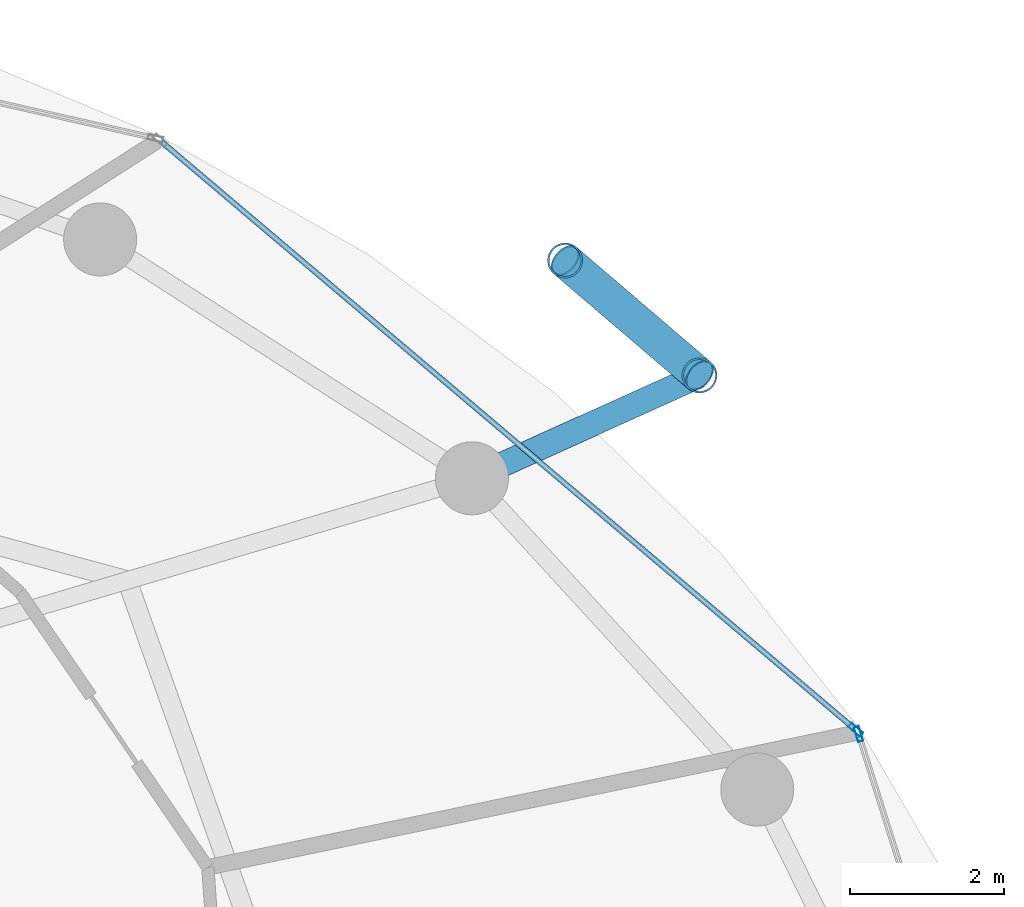
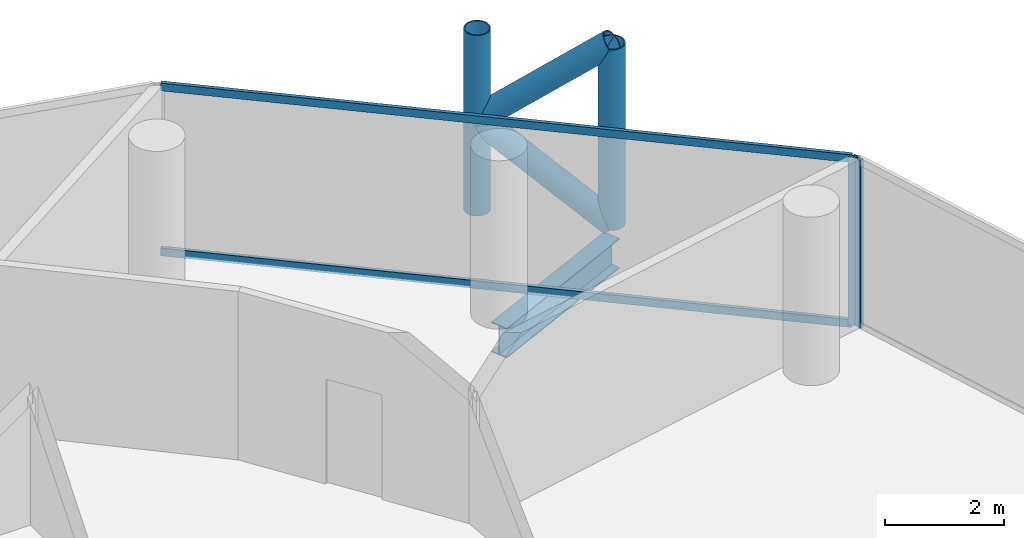
# One storey, part 19 of 26: 8 members, 1 beam, 2 elements without a shape of their own.
"""IFC4 building model written with IfcOpenShell, lengths in metres."""

import ifcopenshell
import ifcopenshell.guid

model = None  # the IFC model being written
_history = None  # IfcOwnerHistory: only IFC2X3 demands one
_inside = {}  # id of a spatial element -> (the spatial element, [elements in it])
_under = {}  # id of a project, library or spatial element -> (it, [spatial elements below it])
_declared = {}  # id of a project -> (the project, [libraries it declares])
_typed = {}  # id of a type object -> (the type object, [elements of that type])
_made_of = {}  # id of a material, layer set ... -> (it, [elements and type objects made of it])


def new_model(schema):
    """Start an empty IFC model of exactly this schema.

    Asked for "IFC4X3", IfcOpenShell would pick the latest addendum, in which some entities
    have other attributes; the version numbers below select the first issue.
    IFC2X3 requires an IfcOwnerHistory on every rooted entity: one is made here for all.
    """
    global model, _history
    if schema == "IFC4X3":
        model = ifcopenshell.file(schema_version=(4, 3, 0, 0))
    else:
        model = ifcopenshell.file(schema=schema)
    _inside.clear()
    _under.clear()
    _declared.clear()
    _typed.clear()
    _made_of.clear()
    _history = None
    if model.schema == "IFC2X3":
        org = make("IfcOrganization", Name="unknown")
        user = make(
            "IfcPersonAndOrganization",
            ThePerson=make("IfcPerson", FamilyName="unknown"),
            TheOrganization=org,
        )
        app = make(
            "IfcApplication",
            ApplicationDeveloper=org,
            Version="unknown",
            ApplicationFullName="unknown",
            ApplicationIdentifier="unknown",
        )
        _history = make(
            "IfcOwnerHistory",
            OwningUser=user,
            OwningApplication=app,
            ChangeAction="ADDED",
            CreationDate=0,
        )
    return model


def make(cls, **values):
    """One entity of the class cls with the attributes given. An attribute that is None is left unset."""
    return model.create_entity(
        cls, **{name: value for name, value in values.items() if value is not None}
    )


def rooted(cls, **values):
    """An entity with a GlobalId (a new one), such as an element, a storey or a relation."""
    return make(cls, GlobalId=ifcopenshell.guid.new(), OwnerHistory=_history, **values)


def si_unit(unit_type, name, prefix=None):
    """IfcSIUnit, for example si_unit("LENGTHUNIT", "METRE", prefix="MILLI")."""
    return make("IfcSIUnit", UnitType=unit_type, Prefix=prefix, Name=name)


def assignment(units):
    """IfcUnitAssignment: the units of a project."""
    return None if units is None else make("IfcUnitAssignment", Units=units)


def point(xyz):
    """IfcCartesianPoint."""
    return None if xyz is None else make("IfcCartesianPoint", Coordinates=xyz)


def direction(xyz):
    """IfcDirection."""
    return None if xyz is None else make("IfcDirection", DirectionRatios=xyz)


def frame(location, z_axis=None, x_axis=None):
    """IfcAxis2Placement3D, a coordinate frame: its origin and axes. An axis left out is left unset."""
    return make(
        "IfcAxis2Placement3D",
        Location=point(location),
        Axis=direction(z_axis),
        RefDirection=direction(x_axis),
    )


def frame_2d(location, x_axis=None):
    """IfcAxis2Placement2D, a coordinate frame in the plane: its origin and x axis."""
    return make(
        "IfcAxis2Placement2D", Location=point(location), RefDirection=direction(x_axis)
    )


def origin():
    """The frame at (0, 0, 0) with its axes left unset."""
    return frame((0.0, 0.0, 0.0))


def origin_2d():
    """The frame at (0, 0) in the plane with its x axis left unset."""
    return frame_2d((0.0, 0.0))


def place(relative_to, where):
    """IfcLocalPlacement: puts the frame where relative to a parent placement (None: the world)."""
    return make(
        "IfcLocalPlacement", PlacementRelTo=relative_to, RelativePlacement=where
    )


def context(
    kind, dimensions, precision=None, world=None, true_north=None, identifier=None
):
    """IfcGeometricRepresentationContext, for example the 3D "Model" context."""
    return make(
        "IfcGeometricRepresentationContext",
        ContextIdentifier=identifier,
        ContextType=kind,
        CoordinateSpaceDimension=dimensions,
        Precision=precision,
        WorldCoordinateSystem=world,
        TrueNorth=true_north,
    )


def subcontext(parent, identifier, kind, view, scale=None):
    """IfcGeometricRepresentationSubContext, for example "Body" below "Model"."""
    return make(
        "IfcGeometricRepresentationSubContext",
        ContextIdentifier=identifier,
        ContextType=kind,
        ParentContext=parent,
        TargetScale=scale,
        TargetView=view,
    )


def project(units=None, contexts=None):
    """IfcProject with its units and contexts."""
    return rooted(
        "IfcProject",
        Name="project",
        RepresentationContexts=contexts,
        UnitsInContext=assignment(units),
    )


def spatial(cls, under=None, at=None, **own):
    """A site, building, storey or space (cls), placed at a placement, below another one or the project."""
    s = rooted(cls, ObjectPlacement=at, **own)
    if under is not None:
        _under.setdefault(under.id(), (under, []))[1].append(s)
    return s


def profile(cls, at=None, kind="AREA", **sizes):
    """A parametric profile (cls). Its sizes go by their IFC names, for example OverallWidth=200.0."""
    return make(cls, ProfileType=kind, Position=at, **sizes)


def hollow_rectangle(**sizes):
    """IfcRectangleHollowProfileDef."""
    return profile("IfcRectangleHollowProfileDef", **sizes)


def hollow_circle(**sizes):
    """IfcCircleHollowProfileDef."""
    return profile("IfcCircleHollowProfileDef", **sizes)


def i_section(**sizes):
    """IfcIShapeProfileDef."""
    return profile("IfcIShapeProfileDef", **sizes)


def extrude(swept, where, along, depth):
    """IfcExtrudedAreaSolid: the profile swept, set in the frame where, extruded along a direction by depth."""
    return make(
        "IfcExtrudedAreaSolid",
        SweptArea=swept,
        Position=where,
        ExtrudedDirection=direction(along),
        Depth=depth,
    )


def shape(context_of_items, identifier, shape_type, items):
    """IfcShapeRepresentation: the items that make up one representation, for example the "Body"."""
    return make(
        "IfcShapeRepresentation",
        ContextOfItems=context_of_items,
        RepresentationIdentifier=identifier,
        RepresentationType=shape_type,
        Items=items,
    )


def material(Name=None, Category=None):
    """IfcMaterial."""
    return make("IfcMaterial", Name=Name, Category=Category)


def layer(
    of_material, thickness, ventilated=None, Name=None, Category=None, Priority=None
):
    """IfcMaterialLayer: one layer of a wall or slab, of a material (None: an air gap)."""
    return make(
        "IfcMaterialLayer",
        Material=of_material,
        LayerThickness=thickness,
        IsVentilated=ventilated,
        Name=Name,
        Category=Category,
        Priority=Priority,
    )


def layer_set(layers, Name=None):
    """IfcMaterialLayerSet."""
    return make("IfcMaterialLayerSet", MaterialLayers=layers, LayerSetName=Name)


def material_profile(
    of_material, cross_section, Name=None, Category=None, Priority=None
):
    """IfcMaterialProfile: a cross section and its material."""
    return make(
        "IfcMaterialProfile",
        Name=Name,
        Material=of_material,
        Profile=cross_section,
        Priority=Priority,
        Category=Category,
    )


def profile_set(profiles, Name=None, composite=None):
    """IfcMaterialProfileSet."""
    return make(
        "IfcMaterialProfileSet",
        Name=Name,
        MaterialProfiles=profiles,
        CompositeProfile=composite,
    )


def made_of(thing, what):
    """Note that an element or type object is made of a material, layer set ...; save() writes the relation."""
    if what is not None:
        _made_of.setdefault(what.id(), (what, []))[1].append(thing)
    return thing


def type_object(cls, material=None, **own):
    """A type object (cls), such as IfcWallType, which elements share."""
    return made_of(rooted(cls, **own), material)


def element(
    cls,
    number,
    at=None,
    inside=None,
    cuts=None,
    type_object=None,
    material=None,
    context=None,
    identifier="Body",
    shape_type=None,
    held_by="IfcProductDefinitionShape",
    body=None,
    shapes=None,
    **own,
):
    """One element of the class cls, such as IfcWall. Its Tag is "e" and its number.

    at: its placement. inside: the storey or other place that contains it. cuts: it is an
    opening in that element (IfcRelVoidsElement). A single representation is given by context,
    identifier, shape_type and body (its items); several are given by shapes. held_by: the class
    of the entity that holds the representations. save() writes the other relations.
    """
    e = rooted(cls, Tag="e%d" % number, ObjectPlacement=at, **own)
    if body is not None:
        shapes = [shape(context, identifier, shape_type, body)]
    if shapes is not None:
        e.Representation = make(held_by, Representations=shapes)
    if inside is not None:
        _inside.setdefault(inside.id(), (inside, []))[1].append(e)
    if cuts is not None:
        rooted(
            "IfcRelVoidsElement", RelatingBuildingElement=cuts, RelatedOpeningElement=e
        )
    if type_object is not None:
        _typed.setdefault(type_object.id(), (type_object, []))[1].append(e)
    return made_of(e, material)


def aggregate(whole, parts):
    """IfcRelAggregates: a whole, such as a stair, and the parts it consists of."""
    return rooted("IfcRelAggregates", RelatingObject=whole, RelatedObjects=parts)


def save(model, path):
    """Write the relations noted so far, then the file.

    IfcRelAggregates (storeys below a building ...), IfcRelContainedInSpatialStructure (elements
    in a storey), IfcRelDefinesByType, IfcRelAssociatesMaterial and IfcRelDeclares: one each for
    every whole, place, type object, material and project.
    """
    for whole, parts in _under.values():
        aggregate(whole, parts)
    for where, things in _inside.values():
        rooted(
            "IfcRelContainedInSpatialStructure",
            RelatedElements=things,
            RelatingStructure=where,
        )
    for kind, things in _typed.values():
        rooted("IfcRelDefinesByType", RelatedObjects=things, RelatingType=kind)
    for what, things in _made_of.values():
        rooted("IfcRelAssociatesMaterial", RelatedObjects=things, RelatingMaterial=what)
    for by, libraries in _declared.values():
        rooted("IfcRelDeclares", RelatingContext=by, RelatedDefinitions=libraries)
    model.write(path)


model = new_model("IFC4")

# Units and contexts
model_context = context("Model", 3, precision=1e-05, world=origin(), true_north=direction((0.0, 1.0)))
body_context = subcontext(model_context, "Body", "Model", "MODEL_VIEW")
ifc_project = project(units=[si_unit("LENGTHUNIT", "METRE"), si_unit("AREAUNIT", "SQUARE_METRE"), si_unit("VOLUMEUNIT", "CUBIC_METRE"), si_unit("PLANEANGLEUNIT", "RADIAN"), si_unit("MASSUNIT", "GRAM", prefix="KILO")], contexts=[model_context])

# Site, building, storey
site_placement = place(None, origin())
site = spatial("IfcSite", under=ifc_project, at=site_placement, CompositionType="ELEMENT")
building_placement = place(site_placement, origin())
building = spatial("IfcBuilding", under=site, at=building_placement, Name="Nuhasar Tower", CompositionType="ELEMENT")
storey_placement = place(building_placement, frame((0.0, 0.0, 140.449951171875)))
storey = spatial("IfcBuildingStorey", under=building, at=storey_placement, Name="L33", CompositionType="ELEMENT", Elevation=140.449951171875)

# Beam
ifc_material_1 = material(Name="Steel S355", Category="steel")
ifc_material_profile_1 = material_profile(ifc_material_1, i_section(OverallWidth=0.323974609375, OverallDepth=0.611083984375, WebThickness=0.0126953125, FlangeThickness=0.01904296875, at=origin_2d()), Name="W24X104")
ifc_profile_set_1 = profile_set([ifc_material_profile_1], Name="Steel S355")
beam_type = type_object("IfcBeamType", Name="BM-TIE-W24X104", PredefinedType="BEAM", material=ifc_profile_set_1)
beam_placement = place(storey_placement, frame((55.510986328125, 40.6240234375, -0.555908203125), z_axis=(0.911239591969, 0.411876687891, 0.0), x_axis=(-0.411876687891, 0.911239591969, 0.0)))
element("IfcBeam", 1, at=beam_placement, inside=storey, type_object=beam_type, Name="L33 Exoskeleton Node Tie Beam 02", PredefinedType="BEAM", context=body_context, shape_type="SweptSolid", body=[
    extrude(i_section(OverallWidth=0.323974609375, OverallDepth=0.611083984375, WebThickness=0.0126953125, FlangeThickness=0.01904296875, at=origin_2d()), origin(), (0.0, 0.0, 1.0), 3.248291015625),
])

# Curtain wall, member
ifc_material_2 = material(Name="Aluminium 6063-T6", Category="aluminium")
ifc_layer = layer(ifc_material_2, 0.199951171875)
ifc_layer_set = layer_set([ifc_layer], Name="Aluminium 6063-T6")
curtain_wall_type = type_object("IfcCurtainWallType", Name="CW-Z2-HTL", PredefinedType="NOTDEFINED", material=ifc_layer_set)
curtain_wall_1_placement = place(storey_placement, origin())
curtain_wall_1 = element("IfcCurtainWall", 2, at=curtain_wall_1_placement, inside=storey, type_object=curtain_wall_type, Name="L33 Unitised Curtain Wall 01", PredefinedType="NOTDEFINED")
ifc_material_profile_2 = material_profile(ifc_material_2, hollow_rectangle(XDim=0.070068359375, YDim=0.199951171875, WallThickness=0.0048828125, at=origin_2d()), Name="CWM-3")
ifc_profile_set_2 = profile_set([ifc_material_profile_2], Name="Aluminium 6063-T6")
member_type_1 = type_object("IfcMemberType", Name="CW-MUL-S3", PredefinedType="MULLION", material=ifc_profile_set_2)
member_1_placement = place(storey_placement, frame((60.53955078125, 37.296630859375, 0.0), z_axis=(0.0, 0.0, 1.0), x_axis=(-0.953433389233, -0.301603667577, 0.0)))
member_1 = element("IfcMember", 3, at=member_1_placement, type_object=member_type_1, Name="CW-Z2 mullion 2", PredefinedType="MULLION", context=body_context, shape_type="SweptSolid", body=[
    extrude(hollow_rectangle(XDim=0.070068359375, YDim=0.199951171875, WallThickness=0.0048828125, at=origin_2d()), origin(), (0.0, 0.0, 1.0), 3.449951171875),
])
aggregate(curtain_wall_1, [member_1])

# Curtain wall, members
curtain_wall_2_placement = place(storey_placement, origin())
curtain_wall_2 = element("IfcCurtainWall", 4, at=curtain_wall_2_placement, inside=storey, type_object=curtain_wall_type, Name="L33 Unitised Curtain Wall 02", PredefinedType="NOTDEFINED")
member_2_placement = place(storey_placement, frame((60.502197265625, 37.3525390625, 0.0), z_axis=(0.0, 0.0, 1.0), x_axis=(-0.646374438324, -0.763020370292, 0.0)))
member_2 = element("IfcMember", 5, at=member_2_placement, type_object=member_type_1, Name="CW-Z2 mullion 1", PredefinedType="MULLION", context=body_context, shape_type="SweptSolid", body=[
    extrude(hollow_rectangle(XDim=0.070068359375, YDim=0.199951171875, WallThickness=0.0048828125, at=origin_2d()), origin(), (0.0, 0.0, 1.0), 3.449951171875),
])
ifc_material_profile_3 = material_profile(ifc_material_2, hollow_rectangle(XDim=0.070068359375, YDim=0.159912109375, WallThickness=0.00439453125, at=origin_2d()), Name="CWT-3")
ifc_profile_set_3 = profile_set([ifc_material_profile_3], Name="Aluminium 6063-T6")
member_type_2 = type_object("IfcMemberType", Name="CW-TRN-S3", PredefinedType="USERDEFINED", material=ifc_profile_set_3)
member_3_placement = place(storey_placement, frame((60.4755859375, 37.375244140625, 0.03515625), z_axis=(-0.763023915269, 0.646370253592, 0.0), x_axis=(-0.646370253592, -0.763023915269, 0.0)))
member_3 = element("IfcMember", 6, at=member_3_placement, type_object=member_type_2, Name="CW-Z2 transom 1.1", ObjectType="TRANSOM", PredefinedType="USERDEFINED", context=body_context, shape_type="SweptSolid", body=[
    extrude(hollow_rectangle(XDim=0.070068359375, YDim=0.159912109375, WallThickness=0.00439453125, at=origin_2d()), origin(), (0.0, 0.0, 1.0), 11.784912109375),
])
member_4_placement = place(storey_placement, frame((60.4755859375, 37.375244140625, 3.4150390625), z_axis=(-0.763023915269, 0.646370253592, 0.0), x_axis=(-0.646370253592, -0.763023915269, 0.0)))
member_4 = element("IfcMember", 7, at=member_4_placement, type_object=member_type_2, Name="CW-Z2 transom 1.2", ObjectType="TRANSOM", PredefinedType="USERDEFINED", context=body_context, shape_type="SweptSolid", body=[
    extrude(hollow_rectangle(XDim=0.070068359375, YDim=0.159912109375, WallThickness=0.00439453125, at=origin_2d()), origin(), (0.0, 0.0, 1.0), 11.784912109375),
])
aggregate(curtain_wall_2, [member_2, member_3, member_4])

# Members
ifc_material_3 = material(Name="Steel S460", Category="steel")
ifc_material_profile_4 = material_profile(ifc_material_3, hollow_circle(Radius=0.228515625, WallThickness=0.022216796875, at=origin_2d()), Name="HSS457X22.2")
ifc_profile_set_4 = profile_set([ifc_material_profile_4], Name="Steel S460")
member_type_3 = type_object("IfcMemberType", Name="EXO-BRONZE-457", PredefinedType="BRACE", material=ifc_profile_set_4)
for number, where, z_axis, x_axis, name in (
    (8, (58.470947265625, 41.9619140625, 0.0), (0.0, 0.0, 1.0), (1.0, 0.0, 0.0), "L33 Exoskeleton Chord Column EC-02A"),
    (9, (56.722900390625, 43.45703125, 0.0), (0.0, 0.0, 1.0), (1.0, 0.0, 0.0), "L33 Exoskeleton Chord Column EC-02B"),
):
    element("IfcMember", number, at=place(storey_placement, frame(where, z_axis=z_axis, x_axis=x_axis)), inside=storey, type_object=member_type_3, Name=name, PredefinedType="BRACE", context=body_context, shape_type="SweptSolid", body=[
        extrude(hollow_circle(Radius=0.228515625, WallThickness=0.022216796875, at=origin_2d()), origin(), (0.0, 0.0, 1.0), 3.699951171875),
    ])
member_5_placement = place(storey_placement, frame((58.470947265625, 41.9619140625, 0.0), z_axis=(-0.592170370358, 0.506487618445, 0.626741210415), x_axis=(-0.649986859795, -0.759945446788, 0.0)))
element("IfcMember", 10, at=member_5_placement, inside=storey, type_object=member_type_3, Name="L33 Bronze Diagrid Brace W1-02", PredefinedType="BRACE", context=body_context, shape_type="SweptSolid", body=[
    extrude(hollow_circle(Radius=0.228515625, WallThickness=0.022216796875, at=origin_2d()), origin(), (0.0, 0.0, 1.0), 2.951904296875),
])
member_6_placement = place(storey_placement, frame((56.722900390625, 43.45703125, 1.85009765625), z_axis=(0.592201065785, -0.506513872468, 0.626690988192), x_axis=(0.649986859795, 0.759945446788, 0.0)))
element("IfcMember", 11, at=member_6_placement, inside=storey, type_object=member_type_3, Name="L33 Bronze Diagrid Brace W2-02", PredefinedType="BRACE", context=body_context, shape_type="SweptSolid", body=[
    extrude(hollow_circle(Radius=0.228515625, WallThickness=0.022216796875, at=origin_2d()), origin(), (0.0, 0.0, 1.0), 2.95166015625),
])

save(model, "model.ifc")
